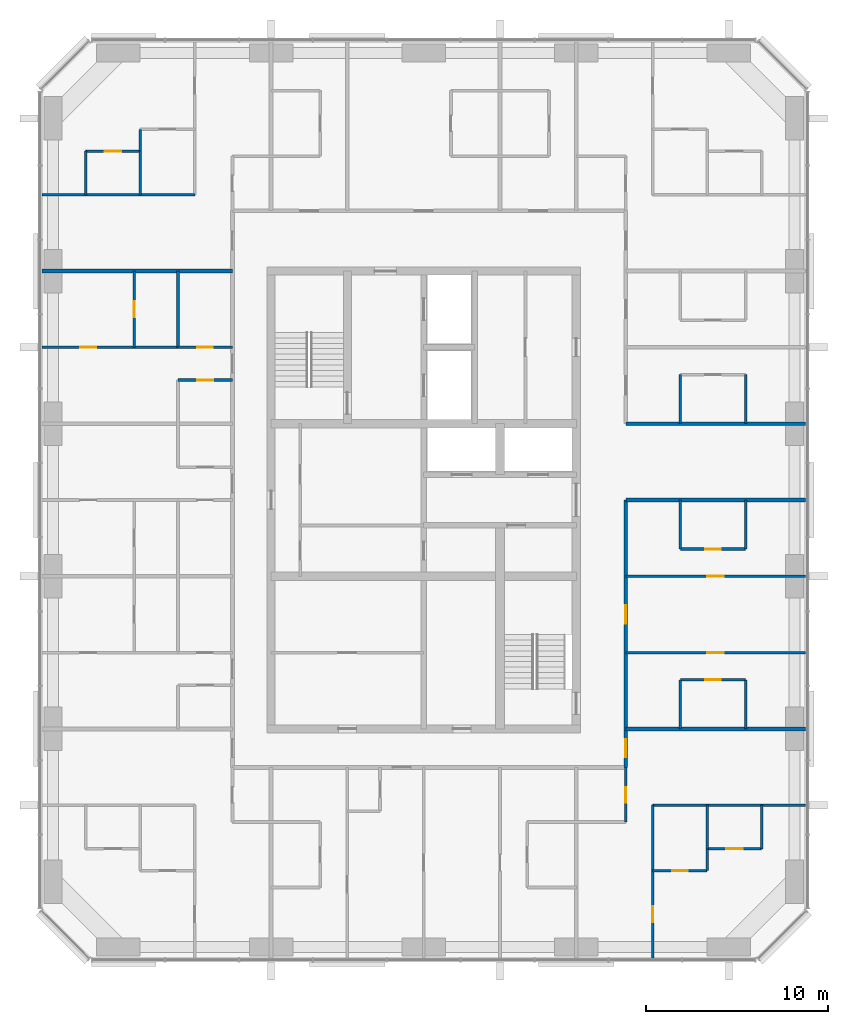
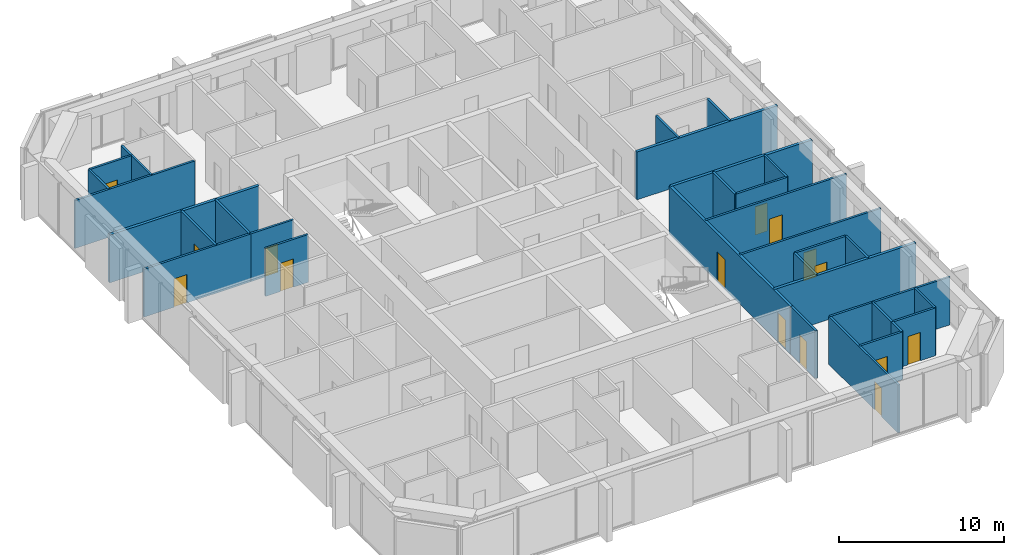
# One storey, part 9 of 12: 33 walls, 15 doors, 15 openings.
"""IFC4 building model written with IfcOpenShell, lengths in metres."""

from ifc_helpers import new_model, si_unit, direction, frame, frame_2d, origin, place, context, subcontext, project, spatial, rectangle, extrude, material, layer, layer_set, type_object, element, fill, save


model = new_model("IFC4")

# Units and contexts
model_context = context("Model", 3, precision=1e-05, world=origin(), true_north=direction((0.0, 1.0)))
body_context = subcontext(model_context, "Body", "Model", "MODEL_VIEW")
ifc_project = project(units=[si_unit("LENGTHUNIT", "METRE"), si_unit("AREAUNIT", "SQUARE_METRE"), si_unit("VOLUMEUNIT", "CUBIC_METRE"), si_unit("PLANEANGLEUNIT", "RADIAN"), si_unit("MASSUNIT", "GRAM", prefix="KILO")], contexts=[model_context])

# Site, building, storey
site_placement = place(None, origin())
site = spatial("IfcSite", under=ifc_project, at=site_placement, CompositionType="ELEMENT")
building_placement = place(site_placement, origin())
building = spatial("IfcBuilding", under=site, at=building_placement, Name="Dunama Terrace Hotel", CompositionType="ELEMENT")
storey_placement = place(building_placement, frame((0.0, 0.0, 252.89990234375)))
storey = spatial("IfcBuildingStorey", under=building, at=storey_placement, Name="L65", CompositionType="ELEMENT", Elevation=252.89990234375)

# Wall
ifc_material_1 = material(Name="Gypsum board partition", Category="masonry")
ifc_layer_1 = layer(ifc_material_1, 0.14990234375)
ifc_layer_set_1 = layer_set([ifc_layer_1], Name="Bathroom partition 150")
wall_type_1 = type_object("IfcWallType", Name="Bathroom partition 150", PredefinedType="PARTITIONING", material=ifc_layer_set_1)
wall_1_placement = place(storey_placement, frame((18.0, 48.60009765625, 0.0), z_axis=(0.0, 0.0, 1.0), x_axis=(0.0, 1.0, 0.0)))
element("IfcWall", 1, at=wall_1_placement, inside=storey, type_object=wall_type_1, Name="Bathroom partition 150 L65", PredefinedType="PARTITIONING", context=body_context, shape_type="SweptSolid", body=[
    extrude(rectangle(XDim=1.199951171875, YDim=0.14990234375, at=frame_2d((0.60009765625, 0.0))), origin(), (0.0, 0.0, 1.0), 3.550048828125),
])

# Wall, opening, door
wall_2_placement = place(storey_placement, frame((44.72509765625, 11.675048828125, 0.0), z_axis=(0.0, 0.0, 1.0), x_axis=(0.0, 1.0, 0.0)))
wall_2 = element("IfcWall", 2, at=wall_2_placement, inside=storey, type_object=wall_type_1, Name="Bathroom partition 150 L65", PredefinedType="PARTITIONING", context=body_context, shape_type="SweptSolid", body=[
    extrude(rectangle(XDim=3.0, YDim=0.14990234375, at=frame_2d((1.5, 0.0))), origin(), (0.0, 0.0, 1.0), 3.550048828125),
])
opening_1_placement = place(wall_2_placement, frame((1.074951171875, 0.0, 0.0)))
opening_1 = element("IfcOpeningElement", 3, at=opening_1_placement, cuts=wall_2, Name="Opening L65-67-050", PredefinedType="OPENING", context=body_context, shape_type="SweptSolid", body=[
    extrude(rectangle(XDim=0.85009765625, YDim=2.10009765625, at=frame_2d((0.425048828125, 1.050048828125))), frame((0.0, 0.0849609375, 0.0), z_axis=(0.0, -1.0, 0.0), x_axis=(1.0, 0.0, 0.0)), (0.0, 0.0, 1.0), 0.169921875),
])
ifc_material_2 = material(Name="Timber door with steel frame", Category="steel")
door_type_1 = type_object("IfcDoorType", Name="Bathroom door 850", OperationType="SINGLE_SWING_LEFT", PredefinedType="DOOR", material=ifc_material_2)
door_1_placement = place(opening_1_placement, origin())
door_1 = element("IfcDoor", 4, at=door_1_placement, inside=storey, type_object=door_type_1, Name="Door to powder room L65-67-050, type D2", OperationType="SINGLE_SWING_RIGHT", OverallHeight=2.10009765625, OverallWidth=0.85009765625, PredefinedType="DOOR", context=body_context, shape_type="SweptSolid", body=[
    extrude(rectangle(XDim=0.85009765625, YDim=2.10009765625, at=frame_2d((0.425048828125, 1.050048828125))), frame((0.0, 0.02490234375, 0.0), z_axis=(0.0, -1.0, 0.0), x_axis=(1.0, 0.0, 0.0)), (0.0, 0.0, 1.0), 0.050048828125),
])
fill(opening_1, door_1)

# Walls
for number, where, z_axis, x_axis, name in (
    (5, (47.72509765625, 16.800048828125, 0.0), (0.0, 0.0, 1.0), (0.0, 1.0, 0.0), "Bathroom partition 150 L65"),
    (6, (47.72509765625, 26.699951171875, 0.0), (0.0, 0.0, 1.0), (0.0, 1.0, 0.0), "Bathroom partition 150 L65"),
    (7, (47.72509765625, 33.60009765625, 0.0), (0.0, 0.0, 1.0), (0.0, 1.0, 0.0), "Bathroom partition 150 L65"),
):
    element("IfcWall", number, at=place(storey_placement, frame(where, z_axis=z_axis, x_axis=x_axis)), inside=storey, type_object=wall_type_1, Name=name, PredefinedType="PARTITIONING", context=body_context, shape_type="SweptSolid", body=[
        extrude(rectangle(XDim=2.699951171875, YDim=0.14990234375, at=frame_2d((1.35009765625, 0.0))), origin(), (0.0, 0.0, 1.0), 3.550048828125),
    ])
wall_3_placement = place(storey_placement, frame((49.199951171875, 9.0, 0.0), z_axis=(0.0, 0.0, 1.0), x_axis=(0.0, 1.0, 0.0)))
element("IfcWall", 8, at=wall_3_placement, inside=storey, type_object=wall_type_1, Name="Bathroom partition 150 L65", PredefinedType="PARTITIONING", context=body_context, shape_type="SweptSolid", body=[
    extrude(rectangle(XDim=1.199951171875, YDim=0.14990234375, at=frame_2d((0.60009765625, 0.0))), origin(), (0.0, 0.0, 1.0), 3.550048828125),
])
for number, where, z_axis, x_axis, name in (
    (9, (51.324951171875, 16.800048828125, 0.0), (0.0, 0.0, 1.0), (0.0, 1.0, 0.0), "Bathroom partition 150 L65"),
    (10, (51.324951171875, 26.699951171875, 0.0), (0.0, 0.0, 1.0), (0.0, 1.0, 0.0), "Bathroom partition 150 L65"),
    (11, (51.324951171875, 33.60009765625, 0.0), (0.0, 0.0, 1.0), (0.0, 1.0, 0.0), "Bathroom partition 150 L65"),
):
    element("IfcWall", number, at=place(storey_placement, frame(where, z_axis=z_axis, x_axis=x_axis)), inside=storey, type_object=wall_type_1, Name=name, PredefinedType="PARTITIONING", context=body_context, shape_type="SweptSolid", body=[
        extrude(rectangle(XDim=2.699951171875, YDim=0.14990234375, at=frame_2d((1.35009765625, 0.0))), origin(), (0.0, 0.0, 1.0), 3.550048828125),
    ])

# Wall, opening, door
wall_4_placement = place(storey_placement, frame((46.199951171875, 9.0, 0.0), z_axis=(0.0, 0.0, 1.0), x_axis=(1.0, 0.0, 0.0)))
wall_4 = element("IfcWall", 12, at=wall_4_placement, inside=storey, type_object=wall_type_1, Name="Bathroom partition 150 L65", PredefinedType="PARTITIONING", context=body_context, shape_type="SweptSolid", body=[
    extrude(rectangle(XDim=3.0, YDim=0.14990234375, at=frame_2d((1.5, 0.0))), origin(), (0.0, 0.0, 1.0), 3.550048828125),
])
opening_2_placement = place(wall_4_placement, frame((1.074951171875, 0.0, 0.0)))
opening_2 = element("IfcOpeningElement", 13, at=opening_2_placement, cuts=wall_4, Name="Opening L65-67-052", PredefinedType="OPENING", context=body_context, shape_type="SweptSolid", body=[
    extrude(rectangle(XDim=0.85009765625, YDim=2.10009765625, at=frame_2d((0.425048828125, 1.050048828125))), frame((0.0, 0.0849609375, 0.0), z_axis=(0.0, -1.0, 0.0), x_axis=(1.0, 0.0, 0.0)), (0.0, 0.0, 1.0), 0.169921875),
])
door_2_placement = place(opening_2_placement, origin())
door_2 = element("IfcDoor", 14, at=door_2_placement, inside=storey, type_object=door_type_1, Name="Door to en-suite bathroom L65-67-052, type D2", OperationType="SINGLE_SWING_RIGHT", OverallHeight=2.10009765625, OverallWidth=0.85009765625, PredefinedType="DOOR", context=body_context, shape_type="SweptSolid", body=[
    extrude(rectangle(XDim=0.85009765625, YDim=2.10009765625, at=frame_2d((0.425048828125, 1.050048828125))), frame((0.0, 0.02490234375, 0.0), z_axis=(0.0, -1.0, 0.0), x_axis=(1.0, 0.0, 0.0)), (0.0, 0.0, 1.0), 0.050048828125),
])
fill(opening_2, door_2)

wall_5_placement = place(storey_placement, frame((47.72509765625, 19.5, 0.0), z_axis=(0.0, 0.0, 1.0), x_axis=(1.0, 0.0, 0.0)))
wall_5 = element("IfcWall", 15, at=wall_5_placement, inside=storey, type_object=wall_type_1, Name="Bathroom partition 150 L65", PredefinedType="PARTITIONING", context=body_context, shape_type="SweptSolid", body=[
    extrude(rectangle(XDim=3.599853515625, YDim=0.14990234375, at=frame_2d((1.7998046875, 0.0))), origin(), (0.0, 0.0, 1.0), 3.550048828125),
])
opening_3_placement = place(wall_5_placement, frame((1.375, 0.0, 0.0)))
opening_3 = element("IfcOpeningElement", 16, at=opening_3_placement, cuts=wall_5, Name="Opening L65-67-016", PredefinedType="OPENING", context=body_context, shape_type="SweptSolid", body=[
    extrude(rectangle(XDim=0.85009765625, YDim=2.10009765625, at=frame_2d((0.425048828125, 1.050048828125))), frame((0.0, 0.0849609375, 0.0), z_axis=(0.0, -1.0, 0.0), x_axis=(1.0, 0.0, 0.0)), (0.0, 0.0, 1.0), 0.169921875),
])
door_3_placement = place(opening_3_placement, frame((0.85009765625, 0.0, 0.0), z_axis=(0.0, 0.0, 1.0), x_axis=(-1.0, 0.0, 0.0)))
door_3 = element("IfcDoor", 17, at=door_3_placement, inside=storey, type_object=door_type_1, Name="Door to en-suite bathroom L65-67-016, type D2", OperationType="SINGLE_SWING_RIGHT", OverallHeight=2.10009765625, OverallWidth=0.85009765625, PredefinedType="DOOR", context=body_context, shape_type="SweptSolid", body=[
    extrude(rectangle(XDim=0.85009765625, YDim=2.10009765625, at=frame_2d((0.425048828125, 1.050048828125))), frame((0.0, 0.025146484375, 0.0), z_axis=(0.0, -1.0, 0.0), x_axis=(1.0, 0.0, 0.0)), (0.0, 0.0, 1.0), 0.050048828125),
])
fill(opening_3, door_3)

wall_6_placement = place(storey_placement, frame((47.72509765625, 26.699951171875, 0.0), z_axis=(0.0, 0.0, 1.0), x_axis=(1.0, 0.0, 0.0)))
wall_6 = element("IfcWall", 18, at=wall_6_placement, inside=storey, type_object=wall_type_1, Name="Bathroom partition 150 L65", PredefinedType="PARTITIONING", context=body_context, shape_type="SweptSolid", body=[
    extrude(rectangle(XDim=3.599853515625, YDim=0.14990234375, at=frame_2d((1.7998046875, 0.0))), origin(), (0.0, 0.0, 1.0), 3.550048828125),
])
opening_4_placement = place(wall_6_placement, frame((1.375, 0.0, 0.0)))
opening_4 = element("IfcOpeningElement", 19, at=opening_4_placement, cuts=wall_6, Name="Opening L65-67-018", PredefinedType="OPENING", context=body_context, shape_type="SweptSolid", body=[
    extrude(rectangle(XDim=0.85009765625, YDim=2.10009765625, at=frame_2d((0.425048828125, 1.050048828125))), frame((0.0, 0.0849609375, 0.0), z_axis=(0.0, -1.0, 0.0), x_axis=(1.0, 0.0, 0.0)), (0.0, 0.0, 1.0), 0.169921875),
])
door_4_placement = place(opening_4_placement, origin())
door_4 = element("IfcDoor", 20, at=door_4_placement, inside=storey, type_object=door_type_1, Name="Door to en-suite bathroom L65-67-018, type D2", OperationType="SINGLE_SWING_LEFT", OverallHeight=2.10009765625, OverallWidth=0.85009765625, PredefinedType="DOOR", context=body_context, shape_type="SweptSolid", body=[
    extrude(rectangle(XDim=0.85009765625, YDim=2.10009765625, at=frame_2d((0.425048828125, 1.050048828125))), frame((0.0, 0.02490234375, 0.0), z_axis=(0.0, -1.0, 0.0), x_axis=(1.0, 0.0, 0.0)), (0.0, 0.0, 1.0), 0.050048828125),
])
fill(opening_4, door_4)

wall_7_placement = place(storey_placement, frame((20.074951171875, 37.800048828125, 0.0), z_axis=(0.0, 0.0, 1.0), x_axis=(1.0, 0.0, 0.0)))
wall_7 = element("IfcWall", 21, at=wall_7_placement, inside=storey, type_object=wall_type_1, Name="Bathroom partition 150 L65", PredefinedType="PARTITIONING", context=body_context, shape_type="SweptSolid", body=[
    extrude(rectangle(XDim=3.0, YDim=0.14990234375, at=frame_2d((1.5, 0.0))), origin(), (0.0, 0.0, 1.0), 3.550048828125),
])
opening_5_placement = place(wall_7_placement, frame((1.074951171875, 0.0, 0.0)))
opening_5 = element("IfcOpeningElement", 22, at=opening_5_placement, cuts=wall_7, Name="Opening L65-67-041", PredefinedType="OPENING", context=body_context, shape_type="SweptSolid", body=[
    extrude(rectangle(XDim=0.85009765625, YDim=2.10009765625, at=frame_2d((0.425048828125, 1.050048828125))), frame((0.0, 0.0849609375, 0.0), z_axis=(0.0, -1.0, 0.0), x_axis=(1.0, 0.0, 0.0)), (0.0, 0.0, 1.0), 0.169921875),
])
door_5_placement = place(opening_5_placement, origin())
door_5 = element("IfcDoor", 23, at=door_5_placement, inside=storey, type_object=door_type_1, Name="Door to residence bathroom L65-67-041, type D2", OperationType="SINGLE_SWING_RIGHT", OverallHeight=2.10009765625, OverallWidth=0.85009765625, PredefinedType="DOOR", context=body_context, shape_type="SweptSolid", body=[
    extrude(rectangle(XDim=0.85009765625, YDim=2.10009765625, at=frame_2d((0.425048828125, 1.050048828125))), frame((0.0, 0.02490234375, 0.0), z_axis=(0.0, -1.0, 0.0), x_axis=(1.0, 0.0, 0.0)), (0.0, 0.0, 1.0), 0.050048828125),
])
fill(opening_5, door_5)

# Wall
ifc_material_3 = material(Name="Concrete blockwork", Category="masonry")
ifc_layer_2 = layer(ifc_material_3, 0.199951171875)
ifc_layer_set_2 = layer_set([ifc_layer_2], Name="Corridor partition 200")
wall_type_2 = type_object("IfcWallType", Name="Corridor partition 200", PredefinedType="PARTITIONING", material=ifc_layer_set_2)
wall_8_placement = place(storey_placement, frame((44.72509765625, 33.60009765625, 0.0), z_axis=(0.0, 0.0, 1.0), x_axis=(1.0, 0.0, 0.0)))
element("IfcWall", 24, at=wall_8_placement, inside=storey, type_object=wall_type_2, Name="Corridor partition 200 L65", PredefinedType="PARTITIONING", context=body_context, shape_type="SweptSolid", body=[
    extrude(rectangle(XDim=9.892822265625, YDim=0.199951171875, at=frame_2d((4.9462890625, 0.0))), origin(), (0.0, 0.0, 1.0), 3.550048828125),
])

# Wall, openings, doors
wall_9_placement = place(storey_placement, frame((44.72509765625, 29.39990234375, 0.0), z_axis=(0.0, 0.0, 1.0), x_axis=(0.0, -1.0, 0.0)))
wall_9 = element("IfcWall", 25, at=wall_9_placement, inside=storey, type_object=wall_type_2, Name="Corridor partition 200 L65", PredefinedType="PARTITIONING", context=body_context, shape_type="SweptSolid", body=[
    extrude(rectangle(XDim=14.724853515625, YDim=0.199951171875, at=frame_2d((7.3623046875, 0.0))), origin(), (0.0, 0.0, 1.0), 3.550048828125),
])
opening_6_placement = place(wall_9_placement, frame((5.800048828125, 0.0, 0.0)))
opening_6 = element("IfcOpeningElement", 26, at=opening_6_placement, cuts=wall_9, Name="Opening L65-67-014", PredefinedType="OPENING", context=body_context, shape_type="SweptSolid", body=[
    extrude(rectangle(XDim=1.0, YDim=2.199951171875, at=frame_2d((0.5, 1.10009765625))), frame((0.0, 0.10986328125, 0.0), z_axis=(0.0, -1.0, 0.0), x_axis=(1.0, 0.0, 0.0)), (0.0, 0.0, 1.0), 0.219970703125),
])
opening_7_placement = place(wall_9_placement, frame((13.162109375, 0.0, 0.0)))
opening_7 = element("IfcOpeningElement", 27, at=opening_7_placement, cuts=wall_9, Name="Opening L65-67-049", PredefinedType="OPENING", context=body_context, shape_type="SweptSolid", body=[
    extrude(rectangle(XDim=1.0, YDim=2.199951171875, at=frame_2d((0.5, 1.10009765625))), frame((0.0, 0.10986328125, 0.0), z_axis=(0.0, -1.0, 0.0), x_axis=(1.0, 0.0, 0.0)), (0.0, 0.0, 1.0), 0.219970703125),
])
ifc_material_4 = material(Name="Timber door with steel frame", Category="steel")
door_type_2 = type_object("IfcDoorType", Name="Guest room door 1000", OperationType="SINGLE_SWING_LEFT", PredefinedType="DOOR", material=ifc_material_4)
door_6_placement = place(opening_6_placement, origin())
door_6 = element("IfcDoor", 28, at=door_6_placement, inside=storey, type_object=door_type_2, Name="Door to two-bedroom suite living room L65-67-014, type D1", OperationType="SINGLE_SWING_RIGHT", OverallHeight=2.199951171875, OverallWidth=1.0, PredefinedType="DOOR", context=body_context, shape_type="SweptSolid", body=[
    extrude(rectangle(XDim=1.0, YDim=2.199951171875, at=frame_2d((0.5, 1.10009765625))), frame((0.0, 0.02490234375, 0.0), z_axis=(0.0, -1.0, 0.0), x_axis=(1.0, 0.0, 0.0)), (0.0, 0.0, 1.0), 0.050048828125),
])
fill(opening_6, door_6)
door_7_placement = place(opening_7_placement, origin())
door_7 = element("IfcDoor", 29, at=door_7_placement, inside=storey, type_object=door_type_2, Name="Door to grand corner suite living room L65-67-049, type D1", OperationType="SINGLE_SWING_LEFT", OverallHeight=2.199951171875, OverallWidth=1.0, PredefinedType="DOOR", context=body_context, shape_type="SweptSolid", body=[
    extrude(rectangle(XDim=1.0, YDim=2.199951171875, at=frame_2d((0.5, 1.10009765625))), frame((0.0, 0.02490234375, 0.0), z_axis=(0.0, -1.0, 0.0), x_axis=(1.0, 0.0, 0.0)), (0.0, 0.0, 1.0), 0.050048828125),
])
fill(opening_7, door_7)

# Walls
wall_10_placement = place(storey_placement, frame((54.617919921875, 29.39990234375, 0.0), z_axis=(0.0, 0.0, 1.0), x_axis=(-1.0, 0.0, 0.0)))
element("IfcWall", 30, at=wall_10_placement, inside=storey, type_object=wall_type_2, Name="Corridor partition 200 L65", PredefinedType="PARTITIONING", context=body_context, shape_type="SweptSolid", body=[
    extrude(rectangle(XDim=9.892822265625, YDim=0.199951171875, at=frame_2d((4.9462890625, 0.0))), origin(), (0.0, 0.0, 1.0), 3.550048828125),
])
ifc_material_5 = material(Name="Concrete blockwork", Category="masonry")
ifc_layer_3 = layer(ifc_material_5, 0.199951171875)
ifc_layer_set_3 = layer_set([ifc_layer_3], Name="Party wall 200")
wall_type_3 = type_object("IfcWallType", Name="Party wall 200", PredefinedType="PARTITIONING", material=ifc_layer_set_3)
wall_11_placement = place(storey_placement, frame((44.72509765625, 16.800048828125, 0.0), z_axis=(0.0, 0.0, 1.0), x_axis=(1.0, 0.0, 0.0)))
element("IfcWall", 31, at=wall_11_placement, inside=storey, type_object=wall_type_3, Name="Party wall 200 L65", PredefinedType="PARTITIONING", context=body_context, shape_type="SweptSolid", body=[
    extrude(rectangle(XDim=9.892822265625, YDim=0.199951171875, at=frame_2d((4.9462890625, 0.0))), origin(), (0.0, 0.0, 1.0), 3.550048828125),
])
wall_12_placement = place(storey_placement, frame((12.58203125, 42.0, 0.0), z_axis=(0.0, 0.0, 1.0), x_axis=(1.0, 0.0, 0.0)))
element("IfcWall", 32, at=wall_12_placement, inside=storey, type_object=wall_type_3, Name="Party wall 200 L65", PredefinedType="PARTITIONING", context=body_context, shape_type="SweptSolid", body=[
    extrude(rectangle(XDim=10.492919921875, YDim=0.199951171875, at=frame_2d((5.24658203125, 0.0))), origin(), (0.0, 0.0, 1.0), 3.550048828125),
])
ifc_material_6 = material(Name="Gypsum board partition", Category="masonry")
ifc_layer_4 = layer(ifc_material_6, 0.14990234375)
ifc_layer_set_4 = layer_set([ifc_layer_4], Name="Room partition 150")
wall_type_4 = type_object("IfcWallType", Name="Room partition 150", PredefinedType="PARTITIONING", material=ifc_layer_set_4)
wall_13_placement = place(storey_placement, frame((15.0, 46.199951171875, 0.0), z_axis=(0.0, 0.0, 1.0), x_axis=(0.0, 1.0, 0.0)))
element("IfcWall", 33, at=wall_13_placement, inside=storey, type_object=wall_type_4, Name="Room partition 150 L65", PredefinedType="PARTITIONING", context=body_context, shape_type="SweptSolid", body=[
    extrude(rectangle(XDim=2.400146484375, YDim=0.14990234375, at=frame_2d((1.2001953125, 0.0))), origin(), (0.0, 0.0, 1.0), 3.550048828125),
])

# Wall, opening, door
wall_14_placement = place(storey_placement, frame((17.675048828125, 37.800048828125, 0.0), z_axis=(0.0, 0.0, 1.0), x_axis=(0.0, 1.0, 0.0)))
wall_14 = element("IfcWall", 34, at=wall_14_placement, inside=storey, type_object=wall_type_4, Name="Room partition 150 L65", PredefinedType="PARTITIONING", context=body_context, shape_type="SweptSolid", body=[
    extrude(rectangle(XDim=4.199951171875, YDim=0.14990234375, at=frame_2d((2.10009765625, 0.0))), origin(), (0.0, 0.0, 1.0), 3.550048828125),
])
opening_8_placement = place(wall_14_placement, frame((1.64990234375, 0.0, 0.0)))
opening_8 = element("IfcOpeningElement", 35, at=opening_8_placement, cuts=wall_14, Name="Opening L65-67-042", PredefinedType="OPENING", context=body_context, shape_type="SweptSolid", body=[
    extrude(rectangle(XDim=0.89990234375, YDim=2.10009765625, at=frame_2d((0.449951171875, 1.050048828125))), frame((0.0, 0.0849609375, 0.0), z_axis=(0.0, -1.0, 0.0), x_axis=(1.0, 0.0, 0.0)), (0.0, 0.0, 1.0), 0.169921875),
])
ifc_material_7 = material(Name="Timber door with steel frame", Category="steel")
door_type_3 = type_object("IfcDoorType", Name="Suite internal door 900", OperationType="SINGLE_SWING_LEFT", PredefinedType="DOOR", material=ifc_material_7)
door_8_placement = place(opening_8_placement, frame((0.89990234375, 0.0, 0.0), z_axis=(0.0, 0.0, 1.0), x_axis=(-1.0, 0.0, 0.0)))
door_8 = element("IfcDoor", 36, at=door_8_placement, inside=storey, type_object=door_type_3, Name="Door to walk-in wardrobe L65-67-042, type D16", OperationType="SINGLE_SWING_RIGHT", OverallHeight=2.10009765625, OverallWidth=0.89990234375, PredefinedType="DOOR", context=body_context, shape_type="SweptSolid", body=[
    extrude(rectangle(XDim=0.89990234375, YDim=2.10009765625, at=frame_2d((0.449951171875, 1.050048828125))), frame((0.0, 0.025146484375, 0.0), z_axis=(0.0, -1.0, 0.0), x_axis=(1.0, 0.0, 0.0)), (0.0, 0.0, 1.0), 0.050048828125),
])
fill(opening_8, door_8)

# Walls
wall_15_placement = place(storey_placement, frame((18.0, 46.199951171875, 0.0), z_axis=(0.0, 0.0, 1.0), x_axis=(0.0, 1.0, 0.0)))
element("IfcWall", 37, at=wall_15_placement, inside=storey, type_object=wall_type_4, Name="Room partition 150 L65", PredefinedType="PARTITIONING", context=body_context, shape_type="SweptSolid", body=[
    extrude(rectangle(XDim=2.400146484375, YDim=0.14990234375, at=frame_2d((1.2001953125, 0.0))), origin(), (0.0, 0.0, 1.0), 3.550048828125),
])
wall_16_placement = place(storey_placement, frame((20.074951171875, 37.800048828125, 0.0), z_axis=(0.0, 0.0, 1.0), x_axis=(0.0, 1.0, 0.0)))
element("IfcWall", 38, at=wall_16_placement, inside=storey, type_object=wall_type_4, Name="Room partition 150 L65", PredefinedType="PARTITIONING", context=body_context, shape_type="SweptSolid", body=[
    extrude(rectangle(XDim=4.199951171875, YDim=0.14990234375, at=frame_2d((2.10009765625, 0.0))), origin(), (0.0, 0.0, 1.0), 3.550048828125),
])

# Wall, opening, door
wall_17_placement = place(storey_placement, frame((46.199951171875, 4.181884765625, 0.0), z_axis=(0.0, 0.0, 1.0), x_axis=(0.0, 1.0, 0.0)))
wall_17 = element("IfcWall", 39, at=wall_17_placement, inside=storey, type_object=wall_type_4, Name="Room partition 150 L65", PredefinedType="PARTITIONING", context=body_context, shape_type="SweptSolid", body=[
    extrude(rectangle(XDim=8.418212890625, YDim=0.14990234375, at=frame_2d((4.208984375, 0.0))), origin(), (0.0, 0.0, 1.0), 3.550048828125),
])
opening_9_placement = place(wall_17_placement, frame((1.968017578125, 0.0, 0.0)))
opening_9 = element("IfcOpeningElement", 40, at=opening_9_placement, cuts=wall_17, Name="Opening L65-67-051", PredefinedType="OPENING", context=body_context, shape_type="SweptSolid", body=[
    extrude(rectangle(XDim=0.89990234375, YDim=2.10009765625, at=frame_2d((0.449951171875, 1.050048828125))), frame((0.0, 0.0849609375, 0.0), z_axis=(0.0, -1.0, 0.0), x_axis=(1.0, 0.0, 0.0)), (0.0, 0.0, 1.0), 0.169921875),
])
door_9_placement = place(opening_9_placement, frame((0.89990234375, 0.0, 0.0), z_axis=(0.0, 0.0, 1.0), x_axis=(-1.0, 0.0, 0.0)))
door_9 = element("IfcDoor", 41, at=door_9_placement, inside=storey, type_object=door_type_3, Name="Door to grand corner suite bedroom L65-67-051, type D16", OperationType="SINGLE_SWING_LEFT", OverallHeight=2.10009765625, OverallWidth=0.89990234375, PredefinedType="DOOR", context=body_context, shape_type="SweptSolid", body=[
    extrude(rectangle(XDim=0.89990234375, YDim=2.10009765625, at=frame_2d((0.449951171875, 1.050048828125))), frame((0.0, 0.025146484375, 0.0), z_axis=(0.0, -1.0, 0.0), x_axis=(1.0, 0.0, 0.0)), (0.0, 0.0, 1.0), 0.050048828125),
])
fill(opening_9, door_9)

# Walls
for number, where, z_axis, x_axis, name in (
    (42, (49.199951171875, 10.199951171875, 0.0), (0.0, 0.0, 1.0), (0.0, 1.0, 0.0), "Room partition 150 L65"),
    (43, (52.199951171875, 10.199951171875, 0.0), (0.0, 0.0, 1.0), (0.0, 1.0, 0.0), "Room partition 150 L65"),
):
    element("IfcWall", number, at=place(storey_placement, frame(where, z_axis=z_axis, x_axis=x_axis)), inside=storey, type_object=wall_type_4, Name=name, PredefinedType="PARTITIONING", context=body_context, shape_type="SweptSolid", body=[
        extrude(rectangle(XDim=2.400146484375, YDim=0.14990234375, at=frame_2d((1.2001953125, 0.0))), origin(), (0.0, 0.0, 1.0), 3.550048828125),
    ])

# Wall, opening, door
wall_18_placement = place(storey_placement, frame((49.199951171875, 10.199951171875, 0.0), z_axis=(0.0, 0.0, 1.0), x_axis=(1.0, 0.0, 0.0)))
wall_18 = element("IfcWall", 44, at=wall_18_placement, inside=storey, type_object=wall_type_4, Name="Room partition 150 L65", PredefinedType="PARTITIONING", context=body_context, shape_type="SweptSolid", body=[
    extrude(rectangle(XDim=3.0, YDim=0.14990234375, at=frame_2d((1.5, 0.0))), origin(), (0.0, 0.0, 1.0), 3.550048828125),
])
opening_10_placement = place(wall_18_placement, frame((1.050048828125, 0.0, 0.0)))
opening_10 = element("IfcOpeningElement", 45, at=opening_10_placement, cuts=wall_18, Name="Opening L65-67-053", PredefinedType="OPENING", context=body_context, shape_type="SweptSolid", body=[
    extrude(rectangle(XDim=0.89990234375, YDim=2.10009765625, at=frame_2d((0.449951171875, 1.050048828125))), frame((0.0, 0.0849609375, 0.0), z_axis=(0.0, -1.0, 0.0), x_axis=(1.0, 0.0, 0.0)), (0.0, 0.0, 1.0), 0.169921875),
])
door_10_placement = place(opening_10_placement, origin())
door_10 = element("IfcDoor", 46, at=door_10_placement, inside=storey, type_object=door_type_3, Name="Door to dressing room L65-67-053, type D16", OperationType="SINGLE_SWING_LEFT", OverallHeight=2.10009765625, OverallWidth=0.89990234375, PredefinedType="DOOR", context=body_context, shape_type="SweptSolid", body=[
    extrude(rectangle(XDim=0.89990234375, YDim=2.10009765625, at=frame_2d((0.449951171875, 1.050048828125))), frame((0.0, 0.02490234375, 0.0), z_axis=(0.0, -1.0, 0.0), x_axis=(1.0, 0.0, 0.0)), (0.0, 0.0, 1.0), 0.050048828125),
])
fill(opening_10, door_10)

# Wall
wall_19_placement = place(storey_placement, frame((46.199951171875, 12.60009765625, 0.0), z_axis=(0.0, 0.0, 1.0), x_axis=(1.0, 0.0, 0.0)))
element("IfcWall", 47, at=wall_19_placement, inside=storey, type_object=wall_type_4, Name="Room partition 150 L65", PredefinedType="PARTITIONING", context=body_context, shape_type="SweptSolid", body=[
    extrude(rectangle(XDim=8.41796875, YDim=0.14990234375, at=frame_2d((4.208984375, 0.0))), origin(), (0.0, 0.0, 1.0), 3.550048828125),
])

# Wall, opening, door
wall_20_placement = place(storey_placement, frame((44.72509765625, 21.0, 0.0), z_axis=(0.0, 0.0, 1.0), x_axis=(1.0, 0.0, 0.0)))
wall_20 = element("IfcWall", 48, at=wall_20_placement, inside=storey, type_object=wall_type_4, Name="Room partition 150 L65", PredefinedType="PARTITIONING", context=body_context, shape_type="SweptSolid", body=[
    extrude(rectangle(XDim=9.892822265625, YDim=0.14990234375, at=frame_2d((4.9462890625, 0.0))), origin(), (0.0, 0.0, 1.0), 3.550048828125),
])
opening_11_placement = place(wall_20_placement, frame((4.487060546875, 0.0, 0.0)))
opening_11 = element("IfcOpeningElement", 49, at=opening_11_placement, cuts=wall_20, Name="Opening L65-67-015", PredefinedType="OPENING", context=body_context, shape_type="SweptSolid", body=[
    extrude(rectangle(XDim=0.89990234375, YDim=2.10009765625, at=frame_2d((0.449951171875, 1.050048828125))), frame((0.0, 0.0849609375, 0.0), z_axis=(0.0, -1.0, 0.0), x_axis=(1.0, 0.0, 0.0)), (0.0, 0.0, 1.0), 0.169921875),
])
door_11_placement = place(opening_11_placement, frame((0.89990234375, 0.0, 0.0), z_axis=(0.0, 0.0, 1.0), x_axis=(-1.0, 0.0, 0.0)))
door_11 = element("IfcDoor", 50, at=door_11_placement, inside=storey, type_object=door_type_3, Name="Door to two-bedroom suite bedroom L65-67-015, type D16", OperationType="SINGLE_SWING_RIGHT", OverallHeight=2.10009765625, OverallWidth=0.89990234375, PredefinedType="DOOR", context=body_context, shape_type="SweptSolid", body=[
    extrude(rectangle(XDim=0.89990234375, YDim=2.10009765625, at=frame_2d((0.449951171875, 1.050048828125))), frame((0.0, 0.025146484375, 0.0), z_axis=(0.0, -1.0, 0.0), x_axis=(1.0, 0.0, 0.0)), (0.0, 0.0, 1.0), 0.050048828125),
])
fill(opening_11, door_11)

wall_21_placement = place(storey_placement, frame((44.72509765625, 25.199951171875, 0.0), z_axis=(0.0, 0.0, 1.0), x_axis=(1.0, 0.0, 0.0)))
wall_21 = element("IfcWall", 51, at=wall_21_placement, inside=storey, type_object=wall_type_4, Name="Room partition 150 L65", PredefinedType="PARTITIONING", context=body_context, shape_type="SweptSolid", body=[
    extrude(rectangle(XDim=9.892822265625, YDim=0.14990234375, at=frame_2d((4.9462890625, 0.0))), origin(), (0.0, 0.0, 1.0), 3.550048828125),
])
opening_12_placement = place(wall_21_placement, frame((4.487060546875, 0.0, 0.0)))
opening_12 = element("IfcOpeningElement", 52, at=opening_12_placement, cuts=wall_21, Name="Opening L65-67-017", PredefinedType="OPENING", context=body_context, shape_type="SweptSolid", body=[
    extrude(rectangle(XDim=0.89990234375, YDim=2.10009765625, at=frame_2d((0.449951171875, 1.050048828125))), frame((0.0, 0.0849609375, 0.0), z_axis=(0.0, -1.0, 0.0), x_axis=(1.0, 0.0, 0.0)), (0.0, 0.0, 1.0), 0.169921875),
])
door_12_placement = place(opening_12_placement, origin())
door_12 = element("IfcDoor", 53, at=door_12_placement, inside=storey, type_object=door_type_3, Name="Door to two-bedroom suite second bedroom L65-67-017, type D16", OperationType="SINGLE_SWING_LEFT", OverallHeight=2.10009765625, OverallWidth=0.89990234375, PredefinedType="DOOR", context=body_context, shape_type="SweptSolid", body=[
    extrude(rectangle(XDim=0.89990234375, YDim=2.10009765625, at=frame_2d((0.449951171875, 1.050048828125))), frame((0.0, 0.02490234375, 0.0), z_axis=(0.0, -1.0, 0.0), x_axis=(1.0, 0.0, 0.0)), (0.0, 0.0, 1.0), 0.050048828125),
])
fill(opening_12, door_12)

wall_22_placement = place(storey_placement, frame((20.074951171875, 36.0, 0.0), z_axis=(0.0, 0.0, 1.0), x_axis=(1.0, 0.0, 0.0)))
wall_22 = element("IfcWall", 54, at=wall_22_placement, inside=storey, type_object=wall_type_4, Name="Room partition 150 L65", PredefinedType="PARTITIONING", context=body_context, shape_type="SweptSolid", body=[
    extrude(rectangle(XDim=3.0, YDim=0.14990234375, at=frame_2d((1.5, 0.0))), origin(), (0.0, 0.0, 1.0), 3.550048828125),
])
opening_13_placement = place(wall_22_placement, frame((1.050048828125, 0.0, 0.0)))
opening_13 = element("IfcOpeningElement", 55, at=opening_13_placement, cuts=wall_22, Name="Opening L65-67-040", PredefinedType="OPENING", context=body_context, shape_type="SweptSolid", body=[
    extrude(rectangle(XDim=0.89990234375, YDim=2.10009765625, at=frame_2d((0.449951171875, 1.050048828125))), frame((0.0, 0.0849609375, 0.0), z_axis=(0.0, -1.0, 0.0), x_axis=(1.0, 0.0, 0.0)), (0.0, 0.0, 1.0), 0.169921875),
])
door_13_placement = place(opening_13_placement, frame((0.89990234375, 0.0, 0.0), z_axis=(0.0, 0.0, 1.0), x_axis=(-1.0, 0.0, 0.0)))
door_13 = element("IfcDoor", 56, at=door_13_placement, inside=storey, type_object=door_type_3, Name="Door to residence kitchen L65-67-040, type D16", OperationType="SINGLE_SWING_LEFT", OverallHeight=2.10009765625, OverallWidth=0.89990234375, PredefinedType="DOOR", context=body_context, shape_type="SweptSolid", body=[
    extrude(rectangle(XDim=0.89990234375, YDim=2.10009765625, at=frame_2d((0.449951171875, 1.050048828125))), frame((0.0, 0.025146484375, 0.0), z_axis=(0.0, -1.0, 0.0), x_axis=(1.0, 0.0, 0.0)), (0.0, 0.0, 1.0), 0.050048828125),
])
fill(opening_13, door_13)

wall_23_placement = place(storey_placement, frame((12.58203125, 37.800048828125, 0.0), z_axis=(0.0, 0.0, 1.0), x_axis=(1.0, 0.0, 0.0)))
wall_23 = element("IfcWall", 57, at=wall_23_placement, inside=storey, type_object=wall_type_4, Name="Room partition 150 L65", PredefinedType="PARTITIONING", context=body_context, shape_type="SweptSolid", body=[
    extrude(rectangle(XDim=7.492919921875, YDim=0.14990234375, at=frame_2d((3.74658203125, 0.0))), origin(), (0.0, 0.0, 1.0), 3.550048828125),
])
opening_14_placement = place(wall_23_placement, frame((2.10595703125, 0.0, 0.0)))
opening_14 = element("IfcOpeningElement", 58, at=opening_14_placement, cuts=wall_23, Name="Opening L65-67-043", PredefinedType="OPENING", context=body_context, shape_type="SweptSolid", body=[
    extrude(rectangle(XDim=0.89990234375, YDim=2.10009765625, at=frame_2d((0.449951171875, 1.050048828125))), frame((0.0, 0.0849609375, 0.0), z_axis=(0.0, -1.0, 0.0), x_axis=(1.0, 0.0, 0.0)), (0.0, 0.0, 1.0), 0.169921875),
])
door_14_placement = place(opening_14_placement, origin())
door_14 = element("IfcDoor", 59, at=door_14_placement, inside=storey, type_object=door_type_3, Name="Door to residence bedroom L65-67-043, type D16", OperationType="SINGLE_SWING_RIGHT", OverallHeight=2.10009765625, OverallWidth=0.89990234375, PredefinedType="DOOR", context=body_context, shape_type="SweptSolid", body=[
    extrude(rectangle(XDim=0.89990234375, YDim=2.10009765625, at=frame_2d((0.449951171875, 1.050048828125))), frame((0.0, 0.02490234375, 0.0), z_axis=(0.0, -1.0, 0.0), x_axis=(1.0, 0.0, 0.0)), (0.0, 0.0, 1.0), 0.050048828125),
])
fill(opening_14, door_14)

# Wall
wall_24_placement = place(storey_placement, frame((12.58203125, 46.199951171875, 0.0), z_axis=(0.0, 0.0, 1.0), x_axis=(1.0, 0.0, 0.0)))
element("IfcWall", 60, at=wall_24_placement, inside=storey, type_object=wall_type_4, Name="Room partition 150 L65", PredefinedType="PARTITIONING", context=body_context, shape_type="SweptSolid", body=[
    extrude(rectangle(XDim=8.41796875, YDim=0.14990234375, at=frame_2d((4.208984375, 0.0))), origin(), (0.0, 0.0, 1.0), 3.550048828125),
])

# Wall, opening, door
wall_25_placement = place(storey_placement, frame((15.0, 48.60009765625, 0.0), z_axis=(0.0, 0.0, 1.0), x_axis=(1.0, 0.0, 0.0)))
wall_25 = element("IfcWall", 61, at=wall_25_placement, inside=storey, type_object=wall_type_4, Name="Room partition 150 L65", PredefinedType="PARTITIONING", context=body_context, shape_type="SweptSolid", body=[
    extrude(rectangle(XDim=3.0, YDim=0.14990234375, at=frame_2d((1.5, 0.0))), origin(), (0.0, 0.0, 1.0), 3.550048828125),
])
opening_15_placement = place(wall_25_placement, frame((1.050048828125, 0.0, 0.0)))
opening_15 = element("IfcOpeningElement", 62, at=opening_15_placement, cuts=wall_25, Name="Opening L65-67-063", PredefinedType="OPENING", context=body_context, shape_type="SweptSolid", body=[
    extrude(rectangle(XDim=0.89990234375, YDim=2.10009765625, at=frame_2d((0.449951171875, 1.050048828125))), frame((0.0, 0.0849609375, 0.0), z_axis=(0.0, -1.0, 0.0), x_axis=(1.0, 0.0, 0.0)), (0.0, 0.0, 1.0), 0.169921875),
])
door_15_placement = place(opening_15_placement, frame((0.89990234375, 0.0, 0.0), z_axis=(0.0, 0.0, 1.0), x_axis=(-1.0, 0.0, 0.0)))
door_15 = element("IfcDoor", 63, at=door_15_placement, inside=storey, type_object=door_type_3, Name="Door to dressing room L65-67-063, type D16", OperationType="SINGLE_SWING_RIGHT", OverallHeight=2.10009765625, OverallWidth=0.89990234375, PredefinedType="DOOR", context=body_context, shape_type="SweptSolid", body=[
    extrude(rectangle(XDim=0.89990234375, YDim=2.10009765625, at=frame_2d((0.449951171875, 1.050048828125))), frame((0.0, 0.025146484375, 0.0), z_axis=(0.0, -1.0, 0.0), x_axis=(1.0, 0.0, 0.0)), (0.0, 0.0, 1.0), 0.050048828125),
])
fill(opening_15, door_15)

save(model, "model.ifc")
